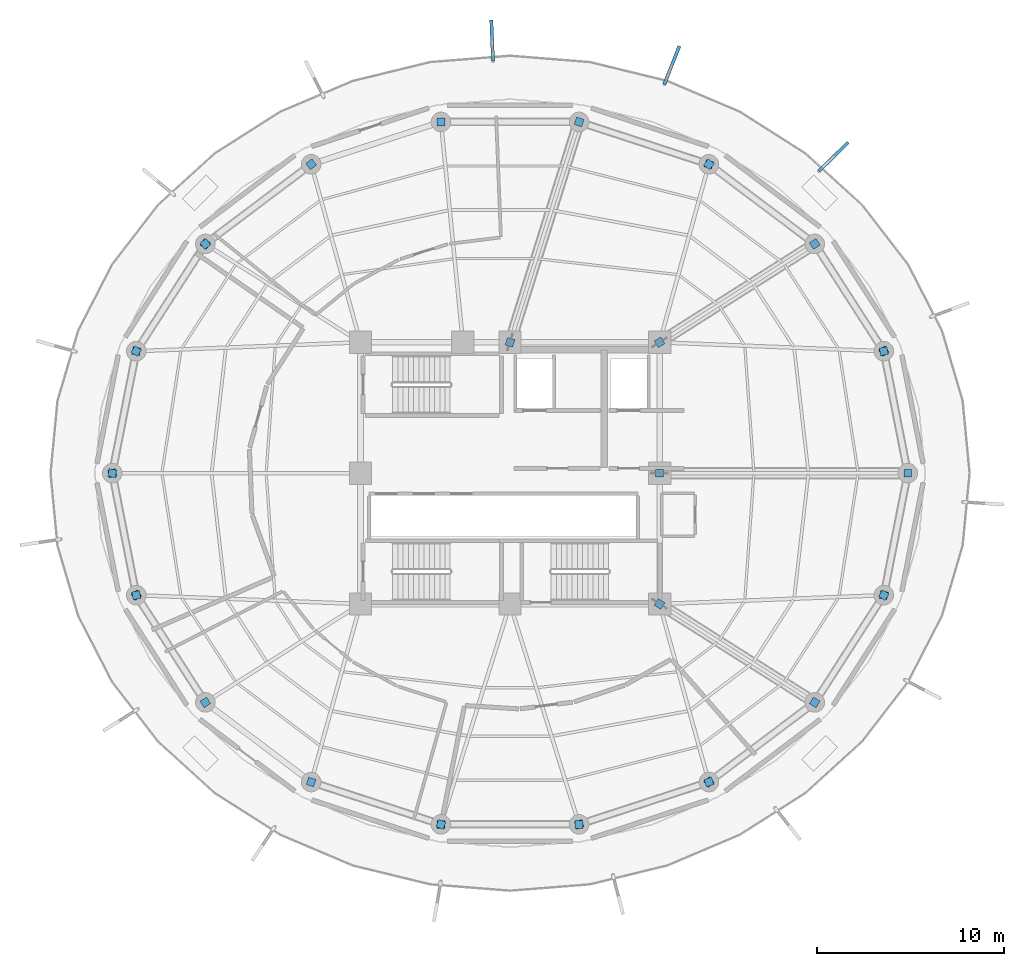
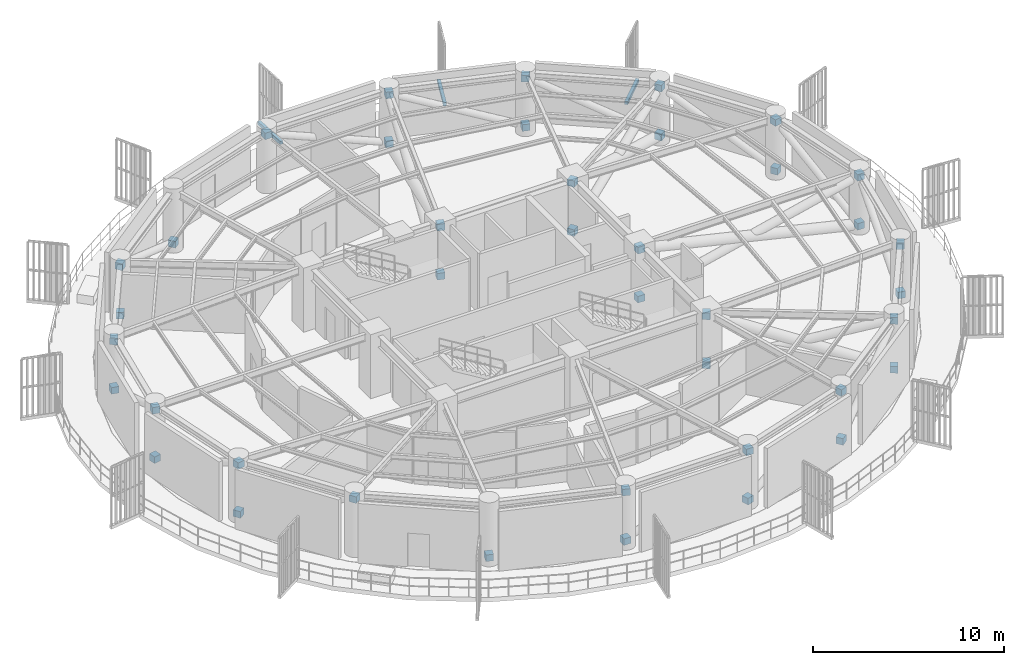
# One storey, part 6 of 10: 43 discrete accessories.
"""IFC4 building model written with IfcOpenShell, lengths in metres."""

from ifc_helpers import new_model, si_unit, direction, frame, origin, origin_2d, place, context, subcontext, project, spatial, rectangle, extrude, source, transform, mapped, material, type_object, element, save


model = new_model("IFC4")

# Units and contexts
model_context = context("Model", 3, precision=1e-05, world=origin(), true_north=direction((0.0, 1.0)))
body_context = subcontext(model_context, "Body", "Model", "MODEL_VIEW")
ifc_project = project(units=[si_unit("LENGTHUNIT", "METRE"), si_unit("AREAUNIT", "SQUARE_METRE"), si_unit("VOLUMEUNIT", "CUBIC_METRE"), si_unit("PLANEANGLEUNIT", "RADIAN"), si_unit("MASSUNIT", "GRAM", prefix="KILO")], contexts=[model_context])

# Site, building, storey
site_placement = place(None, origin())
site = spatial("IfcSite", under=ifc_project, at=site_placement, CompositionType="ELEMENT")
building_placement = place(site_placement, origin())
building = spatial("IfcBuilding", under=site, at=building_placement, Name="Kelanora Arch Commons", CompositionType="ELEMENT")
storey_placement = place(building_placement, frame((0.0, 0.0, 189.110107421875)))
storey = spatial("IfcBuildingStorey", under=building, at=storey_placement, Name="L48", CompositionType="ELEMENT", Elevation=189.110107421875)

# Discrete accessories
ifc_material_1 = material(Name="Steel S355", Category="steel")
discrete_accessory_type_1 = type_object("IfcDiscreteAccessoryType", Name="ACC-BRC-CONN", PredefinedType="BRACKET", material=ifc_material_1)
shared_shape_1 = source(origin(), body_context, "Body", "SweptSolid", [
    extrude(rectangle(XDim=0.419921875, YDim=0.419921875, at=origin_2d()), origin(), (0.0, 0.0, 1.0), 0.419921875),
])
for number, where, z_axis, x_axis, name in (
    (1, (82.0, 51.0, 0.139892578125), (0.0, 0.0, 1.0), (0.844514912895, -0.535532036295, 0.0), "Brace and Strut Gusset End Connection 0133"),
    (2, (90.301513671875, 45.735595703125, 3.27001953125), (0.0, 0.0, 1.0), (0.844514912895, -0.535532036295, 0.0), "Brace and Strut Gusset End Connection 0134"),
    (3, (82.0, 51.0, 3.27001953125), (0.0, 0.0, 1.0), (0.844514912895, -0.535532036295, 0.0), "Brace and Strut Gusset End Connection 0135"),
    (4, (90.301513671875, 45.735595703125, 0.139892578125), (0.0, 0.0, 1.0), (0.844514912895, -0.535532036295, 0.0), "Brace and Strut Gusset End Connection 0136"),
    (5, (82.0, 58.0, 0.139892578125), (0.0, 0.0, 1.0), (1.0, 0.0, 0.0), "Brace and Strut Gusset End Connection 0137"),
    (6, (95.280029296875, 58.0, 3.27001953125), (0.0, 0.0, 1.0), (1.0, 0.0, 0.0), "Brace and Strut Gusset End Connection 0138"),
    (7, (82.0, 58.0, 3.27001953125), (0.0, 0.0, 1.0), (1.0, 0.0, 0.0), "Brace and Strut Gusset End Connection 0139"),
    (8, (95.280029296875, 58.0, 0.139892578125), (0.0, 0.0, 1.0), (1.0, 0.0, 0.0), "Brace and Strut Gusset End Connection 0140"),
    (9, (82.0, 65.0, 0.139892578125), (0.0, 0.0, 1.0), (0.844514912895, 0.535532036295, 0.0), "Brace and Strut Gusset End Connection 0141"),
    (10, (90.301513671875, 70.264404296875, 3.27001953125), (0.0, 0.0, 1.0), (0.844514912895, 0.535532036295, 0.0), "Brace and Strut Gusset End Connection 0142"),
    (11, (82.0, 65.0, 3.27001953125), (0.0, 0.0, 1.0), (0.844514912895, 0.535532036295, 0.0), "Brace and Strut Gusset End Connection 0143"),
    (12, (90.301513671875, 70.264404296875, 0.139892578125), (0.0, 0.0, 1.0), (0.844514912895, 0.535532036295, 0.0), "Brace and Strut Gusset End Connection 0144"),
    (13, (74.0, 65.0, 0.139892578125), (0.0, 0.0, 1.0), (0.299040792256, 0.954240328516, 0.0), "Brace and Strut Gusset End Connection 0145"),
    (14, (77.6953125, 76.7900390625, 3.27001953125), (0.0, 0.0, 1.0), (0.299040792256, 0.954240328516, 0.0), "Brace and Strut Gusset End Connection 0146"),
    (15, (74.0, 65.0, 3.27001953125), (0.0, 0.0, 1.0), (0.299040792256, 0.954240328516, 0.0), "Brace and Strut Gusset End Connection 0147"),
    (16, (77.6953125, 76.7900390625, 0.139892578125), (0.0, 0.0, 1.0), (0.299040792256, 0.954240328516, 0.0), "Brace and Strut Gusset End Connection 0148"),
    (17, (93.99658203125, 64.525634765625, 3.27001953125), (0.0, 0.0, 1.0), (-0.193035743749, 0.981191725217, 0.0), "Brace and Strut Gusset End Connection 0149"),
    (18, (93.99658203125, 64.525634765625, 0.139892578125), (0.0, 0.0, 1.0), (-0.54141476419, 0.840755644119, 0.0), "Brace and Strut Gusset End Connection 0150"),
    (19, (84.639892578125, 74.523681640625, 3.27001953125), (0.0, 0.0, 1.0), (-0.799055461536, 0.601257323772, 0.0), "Brace and Strut Gusset End Connection 0151"),
    (20, (84.639892578125, 74.523681640625, 0.139892578125), (0.0, 0.0, 1.0), (-0.950678271124, 0.310178698193, 0.0), "Brace and Strut Gusset End Connection 0152"),
    (21, (70.3046875, 76.7900390625, 3.27001953125), (0.0, 0.0, 1.0), (-1.0, 0.0, 0.0), "Brace and Strut Gusset End Connection 0153"),
    (22, (63.360107421875, 74.523681640625, 0.139892578125), (0.0, 0.0, 1.0), (-0.799055461536, -0.601257323772, 0.0), "Brace and Strut Gusset End Connection 0154"),
    (23, (57.698486328125, 70.264404296875, 3.27001953125), (0.0, 0.0, 1.0), (-0.799055461536, -0.601257323772, 0.0), "Brace and Strut Gusset End Connection 0155"),
    (24, (57.698486328125, 70.264404296875, 0.139892578125), (0.0, 0.0, 1.0), (-0.54141476419, -0.840755644119, 0.0), "Brace and Strut Gusset End Connection 0156"),
    (25, (54.00341796875, 64.525634765625, 3.27001953125), (0.0, 0.0, 1.0), (-0.54141476419, -0.840755644119, 0.0), "Brace and Strut Gusset End Connection 0157"),
    (26, (54.00341796875, 64.525634765625, 0.139892578125), (0.0, 0.0, 1.0), (-0.193035743749, -0.981191725217, 0.0), "Brace and Strut Gusset End Connection 0158"),
    (27, (52.719970703125, 58.0, 3.27001953125), (0.0, 0.0, 1.0), (-0.193035743749, -0.981191725217, 0.0), "Brace and Strut Gusset End Connection 0159"),
    (28, (52.719970703125, 58.0, 0.139892578125), (0.0, 0.0, 1.0), (0.193035743749, -0.981191725217, 0.0), "Brace and Strut Gusset End Connection 0160"),
    (29, (54.00341796875, 51.474365234375, 3.27001953125), (0.0, 0.0, 1.0), (0.193035743749, -0.981191725217, 0.0), "Brace and Strut Gusset End Connection 0161"),
    (30, (54.00341796875, 51.474365234375, 0.139892578125), (0.0, 0.0, 1.0), (0.54141476419, -0.840755644119, 0.0), "Brace and Strut Gusset End Connection 0162"),
    (31, (57.698486328125, 45.735595703125, 3.27001953125), (0.0, 0.0, 1.0), (0.54141476419, -0.840755644119, 0.0), "Brace and Strut Gusset End Connection 0163"),
    (32, (63.360107421875, 41.476318359375, 0.139892578125), (0.0, 0.0, 1.0), (0.950678271124, -0.310178698193, 0.0), "Brace and Strut Gusset End Connection 0164"),
    (33, (70.3046875, 39.2099609375, 3.27001953125), (0.0, 0.0, 1.0), (0.950678271124, -0.310178698193, 0.0), "Brace and Strut Gusset End Connection 0165"),
    (34, (70.3046875, 39.2099609375, 0.139892578125), (0.0, 0.0, 1.0), (1.0, 0.0, 0.0), "Brace and Strut Gusset End Connection 0166"),
    (35, (77.6953125, 39.2099609375, 3.27001953125), (0.0, 0.0, 1.0), (1.0, 0.0, 0.0), "Brace and Strut Gusset End Connection 0167"),
    (36, (77.6953125, 39.2099609375, 0.139892578125), (0.0, 0.0, 1.0), (0.950678271124, 0.310178698193, 0.0), "Brace and Strut Gusset End Connection 0168"),
    (37, (84.639892578125, 41.476318359375, 3.27001953125), (0.0, 0.0, 1.0), (0.950678271124, 0.310178698193, 0.0), "Brace and Strut Gusset End Connection 0169"),
    (38, (84.639892578125, 41.476318359375, 0.139892578125), (0.0, 0.0, 1.0), (0.799055461536, 0.601257323772, 0.0), "Brace and Strut Gusset End Connection 0170"),
    (39, (93.99658203125, 51.474365234375, 3.27001953125), (0.0, 0.0, 1.0), (0.54141476419, 0.840755644119, 0.0), "Brace and Strut Gusset End Connection 0171"),
    (40, (93.99658203125, 51.474365234375, 0.139892578125), (0.0, 0.0, 1.0), (0.193035743749, 0.981191725217, 0.0), "Brace and Strut Gusset End Connection 0172"),
):
    element("IfcDiscreteAccessory", number, at=place(storey_placement, frame(where, z_axis=z_axis, x_axis=x_axis)), inside=storey, type_object=discrete_accessory_type_1, Name=name, PredefinedType="BRACKET", context=body_context, shape_type="MappedRepresentation", body=[
        mapped(shared_shape_1, transform((0.0, 0.0, 0.0), scale=1.0)),
    ])
ifc_material_2 = material(Name="Stainless steel 316 marine fin bracket", Category="steel")
discrete_accessory_type_2 = type_object("IfcDiscreteAccessoryType", Name="ACC-FIN-BRK", PredefinedType="BRACKET", material=ifc_material_2)
shared_shape_2 = source(origin(), body_context, "Body", "SweptSolid", [
    extrude(rectangle(XDim=2.18994140625, YDim=0.179931640625, at=origin_2d()), origin(), (0.0, 0.0, 1.0), 0.199951171875),
])
for number, where, z_axis, x_axis, name in (
    (41, (91.3076171875, 74.929443359375, -0.16015625), (0.0, 0.0, 1.0), (0.714838924546, 0.699289147602, 0.0), "Sweeping Fin Cantilever Spine Bracket L48-03"),
    (42, (82.65576171875, 79.8251953125, -0.16015625), (0.0, 0.0, 1.0), (0.36861133203, 0.92958360888, 0.0), "Sweeping Fin Cantilever Spine Bracket L48-04"),
    (43, (73.04345703125, 81.14111328125, -0.16015625), (0.0, 0.0, 1.0), (-0.041352508522, 0.999144619181, 0.0), "Sweeping Fin Cantilever Spine Bracket L48-05"),
):
    element("IfcDiscreteAccessory", number, at=place(storey_placement, frame(where, z_axis=z_axis, x_axis=x_axis)), inside=storey, type_object=discrete_accessory_type_2, Name=name, PredefinedType="BRACKET", context=body_context, shape_type="MappedRepresentation", body=[
        mapped(shared_shape_2, transform((0.0, 0.0, 0.0), scale=1.0)),
    ])

save(model, "model.ifc")
